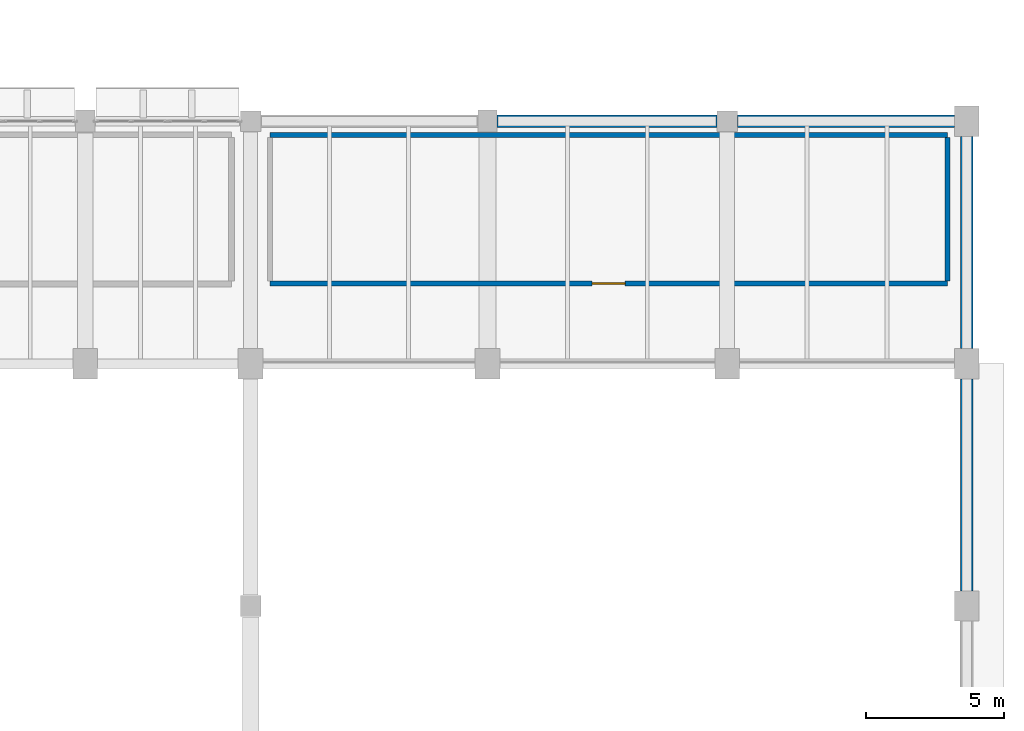
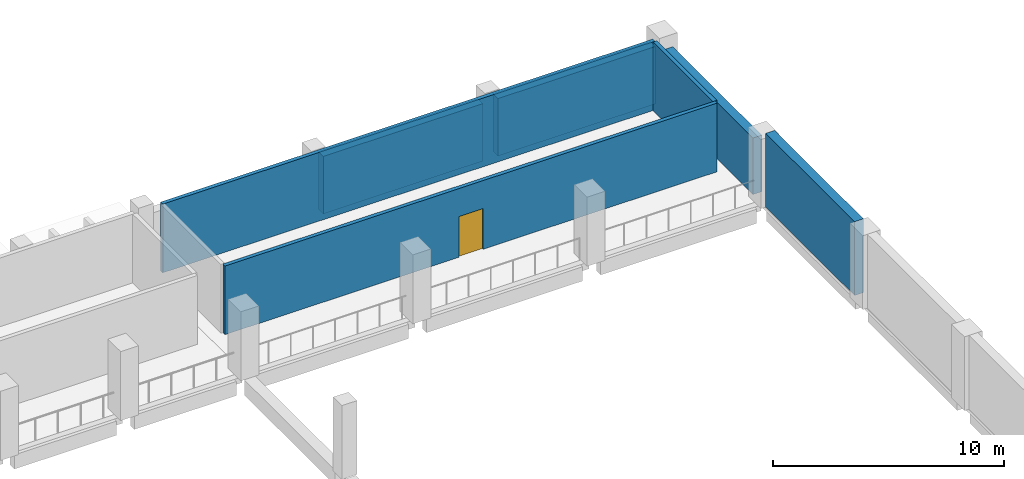
# One storey, part 65 of 80: 7 walls, 1 door, 1 opening.
"""IFC4 building model written with IfcOpenShell, lengths in metres."""

from ifc_helpers import new_model, si_unit, direction, frame, frame_2d, origin, place, context, subcontext, project, spatial, rectangle, extrude, material, layer, layer_set, type_object, element, fill, save


model = new_model("IFC4")

# Units and contexts
model_context = context("Model", 3, precision=1e-05, world=origin(), true_north=direction((0.0, 1.0)))
body_context = subcontext(model_context, "Body", "Model", "MODEL_VIEW")
ifc_project = project(units=[si_unit("LENGTHUNIT", "METRE"), si_unit("AREAUNIT", "SQUARE_METRE"), si_unit("VOLUMEUNIT", "CUBIC_METRE"), si_unit("PLANEANGLEUNIT", "RADIAN"), si_unit("MASSUNIT", "GRAM", prefix="KILO")], contexts=[model_context])

# Site, building, storey
site_placement = place(None, origin())
site = spatial("IfcSite", under=ifc_project, at=site_placement, CompositionType="ELEMENT")
building_placement = place(site_placement, origin())
building = spatial("IfcBuilding", under=site, at=building_placement, Name="Varnakota Cinema and Media Centre", CompositionType="ELEMENT")
storey_placement = place(building_placement, frame((0.0, 0.0, 4.5)))
storey = spatial("IfcBuildingStorey", under=building, at=storey_placement, Name="L01", CompositionType="ELEMENT", Elevation=4.5)

# Walls
ifc_material_1 = material(Name="Deccan grey granite ashlar", Category="masonry")
ifc_layer_1 = layer(ifc_material_1, 0.43994140625)
ifc_layer_set_1 = layer_set([ifc_layer_1], Name="Deccan grey granite ashlar")
wall_type_1 = type_object("IfcWallType", Name="W-EXT-HALL-440", PredefinedType="SOLIDWALL", material=ifc_layer_set_1)
wall_1_placement = place(storey_placement, frame((161.0, 26.949951171875, 0.0), z_axis=(0.0, 0.0, 1.0), x_axis=(0.0, 1.0, 0.0)))
element("IfcWall", 1, at=wall_1_placement, inside=storey, type_object=wall_type_1, Name="L01 exterior wall V2-E-HALL-4", PredefinedType="SOLIDWALL", context=body_context, shape_type="SweptSolid", body=[
    extrude(rectangle(XDim=7.699951171875, YDim=0.43994140625, at=frame_2d((3.85009765625, 0.0))), origin(), (0.0, 0.0, 1.0), 3.89990234375),
])
wall_2_placement = place(storey_placement, frame((161.0, 35.75, 0.0), z_axis=(0.0, 0.0, 1.0), x_axis=(0.0, 1.0, 0.0)))
element("IfcWall", 2, at=wall_2_placement, inside=storey, type_object=wall_type_1, Name="L01 exterior wall V2-E-GAL-1", PredefinedType="SOLIDWALL", context=body_context, shape_type="SweptSolid", body=[
    extrude(rectangle(XDim=7.699951171875, YDim=0.43994140625, at=frame_2d((3.85009765625, 0.0))), origin(), (0.0, 0.0, 1.0), 2.985107421875),
])
wall_3_placement = place(storey_placement, frame((143.949951171875, 44.0, 0.0), z_axis=(0.0, 0.0, 1.0), x_axis=(1.0, 0.0, 0.0)))
element("IfcWall", 3, at=wall_3_placement, inside=storey, type_object=wall_type_1, Name="L01 exterior wall V2-N-2", PredefinedType="SOLIDWALL", context=body_context, shape_type="SweptSolid", body=[
    extrude(rectangle(XDim=7.97509765625, YDim=0.43994140625, at=frame_2d((3.987548828125, 0.0))), origin(), (0.0, 0.0, 1.0), 3.034912109375),
])
wall_4_placement = place(storey_placement, frame((152.675048828125, 44.0, 0.0), z_axis=(0.0, 0.0, 1.0), x_axis=(1.0, 0.0, 0.0)))
element("IfcWall", 4, at=wall_4_placement, inside=storey, type_object=wall_type_1, Name="L01 exterior wall V2-N-3", PredefinedType="SOLIDWALL", context=body_context, shape_type="SweptSolid", body=[
    extrude(rectangle(XDim=7.875, YDim=0.43994140625, at=frame_2d((3.9375, 0.0))), origin(), (0.0, 0.0, 1.0), 3.034912109375),
])

# Wall, opening, door
ifc_material_2 = material(Name="Autoclaved aerated concrete blockwork", Category="masonry")
ifc_layer_2 = layer(ifc_material_2, 0.18994140625)
ifc_layer_set_2 = layer_set([ifc_layer_2], Name="Autoclaved aerated concrete blockwork")
wall_type_2 = type_object("IfcWallType", Name="W-PART-190", PredefinedType="PARTITIONING", material=ifc_layer_set_2)
wall_5_placement = place(storey_placement, frame((160.294921875, 38.10498046875, 0.0), z_axis=(0.0, 0.0, 1.0), x_axis=(-1.0, 0.0, 0.0)))
wall_5 = element("IfcWall", 5, at=wall_5_placement, inside=storey, type_object=wall_type_2, Name="L01 RWALL-RM-L01-BCTRL S wall", PredefinedType="PARTITIONING", context=body_context, shape_type="SweptSolid", body=[
    extrude(rectangle(XDim=24.58984375, YDim=0.18994140625, at=frame_2d((12.294921875, 0.0))), origin(), (0.0, 0.0, 1.0), 3.6298828125),
])
opening_placement = place(wall_5_placement, frame((11.695068359375, 0.0, 0.0)))
opening = element("IfcOpeningElement", 6, at=opening_placement, cuts=wall_5, Name="Opening D-067", PredefinedType="OPENING", context=body_context, shape_type="SweptSolid", body=[
    extrude(rectangle(XDim=1.199951171875, YDim=2.14990234375, at=frame_2d((0.60009765625, 1.074951171875))), frame((0.0, 0.094970703125, 0.0), z_axis=(0.0, -1.0, 0.0), x_axis=(1.0, 0.0, 0.0)), (0.0, 0.0, 1.0), 0.18994140625),
])
ifc_material_3 = material(Name="Thermally broken anodised aluminium AW-6063", Category="aluminium")
door_type = type_object("IfcDoorType", Name="DR-STD-1200x2150", OperationType="NOTDEFINED", PredefinedType="DOOR", material=ifc_material_3)
door_placement = place(opening_placement, origin())
door = element("IfcDoor", 7, at=door_placement, inside=storey, type_object=door_type, Name="L01 door D-067", OperationType="SINGLE_SWING_LEFT", OverallHeight=2.14990234375, OverallWidth=1.199951171875, PredefinedType="DOOR", context=body_context, shape_type="SweptSolid", body=[
    extrude(rectangle(XDim=1.199951171875, YDim=2.14990234375, at=frame_2d((0.60009765625, 1.074951171875))), frame((0.0, 0.02490234375, 0.0), z_axis=(0.0, -1.0, 0.0), x_axis=(1.0, 0.0, 0.0)), (0.0, 0.0, 1.0), 0.050048828125),
])
fill(opening, door)

# Walls
wall_6_placement = place(storey_placement, frame((135.705078125, 43.4951171875, 0.0), z_axis=(0.0, 0.0, 1.0), x_axis=(1.0, 0.0, 0.0)))
element("IfcWall", 8, at=wall_6_placement, inside=storey, type_object=wall_type_2, Name="L01 RWALL-RM-L01-BCTRL N wall", PredefinedType="PARTITIONING", context=body_context, shape_type="SweptSolid", body=[
    extrude(rectangle(XDim=24.58984375, YDim=0.18994140625, at=frame_2d((12.294921875, 0.0))), origin(), (0.0, 0.0, 1.0), 3.6298828125),
])
wall_7_placement = place(storey_placement, frame((160.294921875, 43.39990234375, 0.0), z_axis=(0.0, 0.0, 1.0), x_axis=(0.0, -1.0, 0.0)))
element("IfcWall", 9, at=wall_7_placement, inside=storey, type_object=wall_type_2, Name="L01 RWALL-RM-L01-BCTRL E wall", PredefinedType="PARTITIONING", context=body_context, shape_type="SweptSolid", body=[
    extrude(rectangle(XDim=5.199951171875, YDim=0.18994140625, at=frame_2d((2.60009765625, 0.0))), origin(), (0.0, 0.0, 1.0), 3.6298828125),
])

save(model, "model.ifc")
